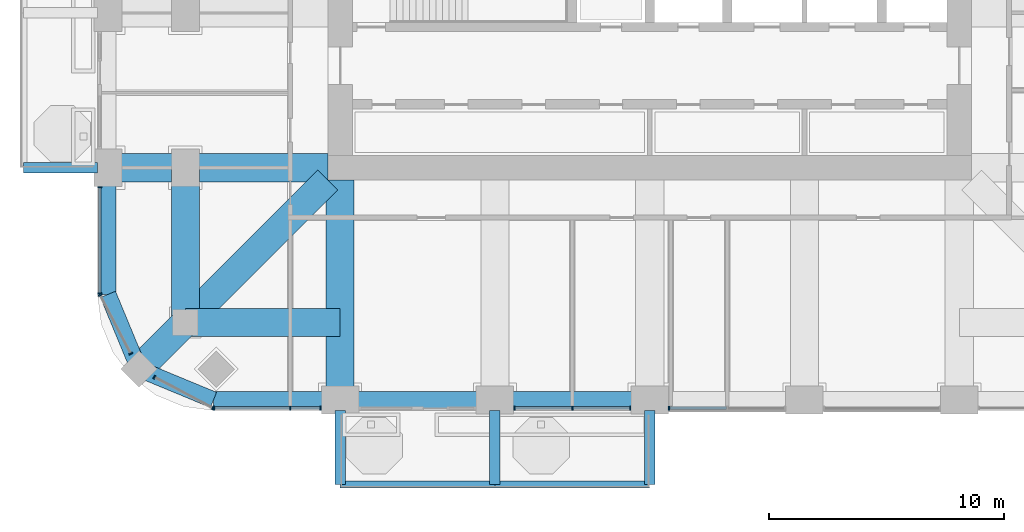
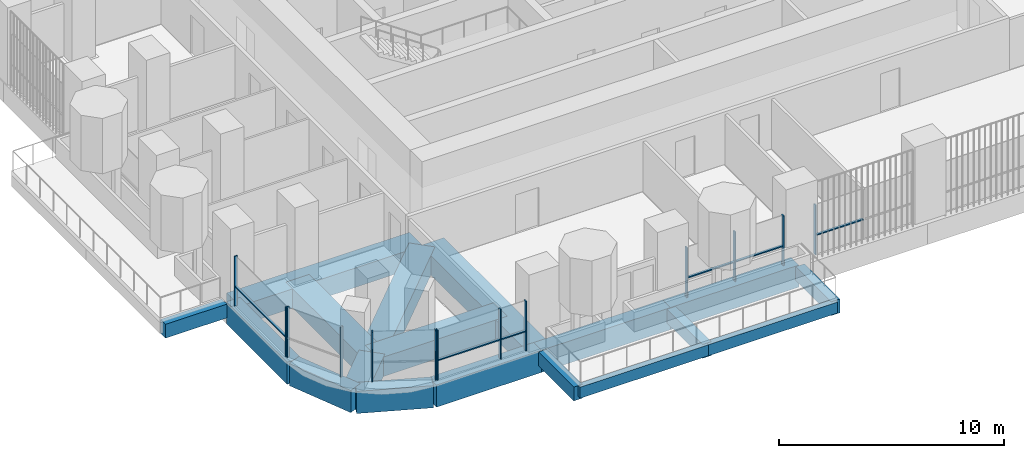
# One storey, part 2 of 20: 19 members, 18 beams, 6 elements without a shape of their own.
"""IFC4 building model written with IfcOpenShell, lengths in metres."""

from ifc_helpers import new_model, si_unit, direction, frame, origin, origin_2d, place, context, subcontext, project, spatial, rectangle, extrude, material, material_profile, profile_set, type_object, element, aggregate, save


model = new_model("IFC4")

# Units and contexts
model_context = context("Model", 3, precision=1e-05, world=origin(), true_north=direction((0.0, 1.0)))
body_context = subcontext(model_context, "Body", "Model", "MODEL_VIEW")
ifc_project = project(units=[si_unit("LENGTHUNIT", "METRE"), si_unit("AREAUNIT", "SQUARE_METRE"), si_unit("VOLUMEUNIT", "CUBIC_METRE"), si_unit("PLANEANGLEUNIT", "RADIAN"), si_unit("MASSUNIT", "GRAM", prefix="KILO")], contexts=[model_context])

# Site, building, storey
site_placement = place(None, origin())
site = spatial("IfcSite", under=ifc_project, at=site_placement, CompositionType="ELEMENT")
building_placement = place(site_placement, origin())
building = spatial("IfcBuilding", under=site, at=building_placement, Name="Cobogo Forest Laboratory Tower", CompositionType="ELEMENT")
storey_placement = place(building_placement, frame((0.0, 0.0, 193.5)))
storey = spatial("IfcBuildingStorey", under=building, at=storey_placement, Name="L44", CompositionType="ELEMENT", Elevation=193.5)

# Beams
ifc_material_1 = material(Name="Concrete HA-40 (C40/50)", Category="concrete")
ifc_material_profile_1 = material_profile(ifc_material_1, rectangle(XDim=0.449951171875, YDim=0.75, at=origin_2d()), Name="RC 450x750")
ifc_profile_set_1 = profile_set([ifc_material_profile_1], Name="Concrete HA-40 (C40/50)")
beam_type_1 = type_object("IfcBeamType", Name="Balcony cantilever beam 450x750", PredefinedType="BEAM", material=ifc_profile_set_1)
for number, where, z_axis, x_axis, name in (
    (1, (13.199951171875, 2.85009765625, -0.625), (0.0, -1.0, 0.0), (1.0, 0.0, 0.0), "CB1 BAL-S1-C1 L44"),
    (2, (19.800048828125, 2.85009765625, -0.625), (0.0, -1.0, 0.0), (1.0, 0.0, 0.0), "CB1 BAL-S1-C2 L44"),
    (3, (26.39990234375, 2.85009765625, -0.625), (0.0, -1.0, 0.0), (1.0, 0.0, 0.0), "CB1 BAL-S1-C3 L44"),
    (4, (2.85009765625, 13.199951171875, -0.625), (-1.0, 0.0, 0.0), (0.0, -1.0, 0.0), "CB1 BAL-W1-C1 L44"),
):
    element("IfcBeam", number, at=place(storey_placement, frame(where, z_axis=z_axis, x_axis=x_axis)), inside=storey, type_object=beam_type_1, Name=name, PredefinedType="BEAM", context=body_context, shape_type="SweptSolid", body=[
        extrude(rectangle(XDim=0.449951171875, YDim=0.75, at=origin_2d()), origin(), (0.0, 0.0, 1.0), 3.150146484375),
    ])
ifc_material_profile_2 = material_profile(ifc_material_1, rectangle(XDim=0.300048828125, YDim=0.60009765625, at=origin_2d()), Name="RC 300x600")
ifc_profile_set_2 = profile_set([ifc_material_profile_2], Name="Concrete HA-40 (C40/50)")
beam_type_2 = type_object("IfcBeamType", Name="Balcony edge beam 300x600", PredefinedType="BEAM", material=ifc_profile_set_2)
beam_1_placement = place(storey_placement, frame((13.199951171875, -0.300048828125, -0.550048828125), z_axis=(1.0, 0.0, 0.0), x_axis=(0.0, 1.0, 0.0)))
element("IfcBeam", 5, at=beam_1_placement, inside=storey, type_object=beam_type_2, Name="BB1 BAL-S1-T1 L44", PredefinedType="BEAM", context=body_context, shape_type="SweptSolid", body=[
    extrude(rectangle(XDim=0.300048828125, YDim=0.60009765625, at=origin_2d()), origin(), (0.0, 0.0, 1.0), 6.60009765625),
])
beam_2_placement = place(storey_placement, frame((19.800048828125, -0.300048828125, -0.550048828125), z_axis=(1.0, 0.0, 0.0), x_axis=(0.0, 1.0, 0.0)))
element("IfcBeam", 6, at=beam_2_placement, inside=storey, type_object=beam_type_2, Name="BB1 BAL-S1-T2 L44", PredefinedType="BEAM", context=body_context, shape_type="SweptSolid", body=[
    extrude(rectangle(XDim=0.300048828125, YDim=0.60009765625, at=origin_2d()), origin(), (0.0, 0.0, 1.0), 6.599853515625),
])
ifc_material_profile_3 = material_profile(ifc_material_1, rectangle(XDim=1.199951171875, YDim=1.050048828125, at=origin_2d()), Name="RC 1200x1050")
ifc_profile_set_3 = profile_set([ifc_material_profile_3], Name="Concrete HA-40 (C40/50)")
beam_type_3 = type_object("IfcBeamType", Name="Laboratory floor wide beam 1200x1050", PredefinedType="BEAM", material=ifc_profile_set_3)
for number, where, z_axis, x_axis, name in (
    (7, (13.199951171875, 12.675048828125, -0.824951171875), (0.0, -1.0, 0.0), (1.0, 0.0, 0.0), "RB1 R-3-S L44"),
    (8, (12.675048828125, 13.199951171875, -0.824951171875), (-1.0, 0.0, 0.0), (0.0, -1.0, 0.0), "RB1 R-C-W L44"),
):
    element("IfcBeam", number, at=place(storey_placement, frame(where, z_axis=z_axis, x_axis=x_axis)), inside=storey, type_object=beam_type_3, Name=name, PredefinedType="BEAM", context=body_context, shape_type="SweptSolid", body=[
        extrude(rectangle(XDim=1.199951171875, YDim=1.050048828125, at=origin_2d()), origin(), (0.0, 0.0, 1.0), 9.375),
    ])
for number, where, z_axis, x_axis, name in (
    (9, (6.60009765625, 6.60009765625, -0.824951171875), (0.0, 1.0, 0.0), (-1.0, 0.0, 0.0), "RB1 G-SW-XC L44"),
    (10, (6.60009765625, 6.60009765625, -0.824951171875), (1.0, 0.0, 0.0), (0.0, 1.0, 0.0), "RB1 G-SW-YC L44"),
):
    element("IfcBeam", number, at=place(storey_placement, frame(where, z_axis=z_axis, x_axis=x_axis)), inside=storey, type_object=beam_type_3, Name=name, PredefinedType="BEAM", context=body_context, shape_type="SweptSolid", body=[
        extrude(rectangle(XDim=1.199951171875, YDim=1.050048828125, at=origin_2d()), origin(), (0.0, 0.0, 1.0), 6.599853515625),
    ])
beam_3_placement = place(storey_placement, frame((4.617919921875, 4.617919921875, -0.824951171875), z_axis=(0.707106781187, 0.707106781187, 0.0), x_axis=(-0.707106781187, 0.707106781187, 0.0)))
element("IfcBeam", 11, at=beam_3_placement, inside=storey, type_object=beam_type_3, Name="RB1 G-SW-D1 L44", PredefinedType="BEAM", context=body_context, shape_type="SweptSolid", body=[
    extrude(rectangle(XDim=1.199951171875, YDim=1.050048828125, at=origin_2d()), origin(), (0.0, 0.0, 1.0), 2.80322265625),
])
beam_4_placement = place(storey_placement, frame((6.60009765625, 6.60009765625, -0.824951171875), z_axis=(0.707106781187, 0.707106781187, 0.0), x_axis=(-0.707106781187, 0.707106781187, 0.0)))
element("IfcBeam", 12, at=beam_4_placement, inside=storey, type_object=beam_type_3, Name="RB1 G-SW-D2 L44", PredefinedType="BEAM", context=body_context, shape_type="SweptSolid", body=[
    extrude(rectangle(XDim=1.199951171875, YDim=1.050048828125, at=origin_2d()), origin(), (0.0, 0.0, 1.0), 8.59130859375),
])

# Curtain wall, members
ifc_material_2 = material(Name="Aluminium curtain wall", Category="aluminium")
curtain_wall_type = type_object("IfcCurtainWallType", Name="CW-2 unitised curtain wall, solar control glazing, laboratory floors zones C and D", PredefinedType="USERDEFINED", material=ifc_material_2)
curtain_wall_1_placement = place(storey_placement, origin())
curtain_wall_1 = element("IfcCurtainWall", 13, at=curtain_wall_1_placement, inside=storey, type_object=curtain_wall_type, Name="Curtain wall 01 L44", ObjectType="UNITISED CURTAIN WALL", PredefinedType="USERDEFINED")
ifc_material_3 = material(Name="Aluminium mullion", Category="aluminium")
ifc_material_profile_4 = material_profile(ifc_material_3, rectangle(XDim=0.06005859375, YDim=0.159912109375, at=origin_2d()), Name="AL 60x160")
ifc_profile_set_4 = profile_set([ifc_material_profile_4], Name="Aluminium mullion")
member_type_1 = type_object("IfcMemberType", Name="MU-1 aluminium mullion 60x160", PredefinedType="MULLION", material=ifc_profile_set_4)
member_1_placement = place(storey_placement, frame((7.830078125, 2.949951171875, 0.0), z_axis=(0.0, 0.0, 1.0), x_axis=(1.0, 0.0, 0.0)))
member_1 = element("IfcMember", 14, at=member_1_placement, type_object=member_type_1, Name="CW-2 mullion 1", PredefinedType="MULLION", context=body_context, shape_type="SweptSolid", body=[
    extrude(rectangle(XDim=0.06005859375, YDim=0.159912109375, at=origin_2d()), origin(), (0.0, 0.0, 1.0), 2.699951171875),
])
member_2_placement = place(storey_placement, frame((11.074951171875, 2.949951171875, 0.0), z_axis=(0.0, 0.0, 1.0), x_axis=(1.0, 0.0, 0.0)))
member_2 = element("IfcMember", 15, at=member_2_placement, type_object=member_type_1, Name="CW-2 mullion 2", PredefinedType="MULLION", context=body_context, shape_type="SweptSolid", body=[
    extrude(rectangle(XDim=0.06005859375, YDim=0.159912109375, at=origin_2d()), origin(), (0.0, 0.0, 1.0), 2.699951171875),
])
member_3_placement = place(storey_placement, frame((12.3701171875, 2.949951171875, 0.0), z_axis=(0.0, 0.0, 1.0), x_axis=(1.0, 0.0, 0.0)))
member_3 = element("IfcMember", 16, at=member_3_placement, type_object=member_type_1, Name="CW-2 mullion 3", PredefinedType="MULLION", context=body_context, shape_type="SweptSolid", body=[
    extrude(rectangle(XDim=0.06005859375, YDim=0.159912109375, at=origin_2d()), origin(), (0.0, 0.0, 1.0), 2.699951171875),
])

curtain_wall_2_placement = place(storey_placement, origin())
curtain_wall_2 = element("IfcCurtainWall", 17, at=curtain_wall_2_placement, inside=storey, type_object=curtain_wall_type, Name="Curtain wall 03 L44", ObjectType="UNITISED CURTAIN WALL", PredefinedType="USERDEFINED")
member_4_placement = place(storey_placement, frame((20.6298828125, 2.949951171875, 0.0), z_axis=(0.0, 0.0, 1.0), x_axis=(1.0, 0.0, 0.0)))
member_4 = element("IfcMember", 18, at=member_4_placement, type_object=member_type_1, Name="CW-2 mullion 1", PredefinedType="MULLION", context=body_context, shape_type="SweptSolid", body=[
    extrude(rectangle(XDim=0.06005859375, YDim=0.159912109375, at=origin_2d()), origin(), (0.0, 0.0, 1.0), 2.699951171875),
])
member_5_placement = place(storey_placement, frame((23.10009765625, 2.949951171875, 0.0), z_axis=(0.0, 0.0, 1.0), x_axis=(1.0, 0.0, 0.0)))
member_5 = element("IfcMember", 19, at=member_5_placement, type_object=member_type_1, Name="CW-2 mullion 2", PredefinedType="MULLION", context=body_context, shape_type="SweptSolid", body=[
    extrude(rectangle(XDim=0.06005859375, YDim=0.159912109375, at=origin_2d()), origin(), (0.0, 0.0, 1.0), 2.699951171875),
])
member_6_placement = place(storey_placement, frame((25.570068359375, 2.949951171875, 0.0), z_axis=(0.0, 0.0, 1.0), x_axis=(1.0, 0.0, 0.0)))
member_6 = element("IfcMember", 20, at=member_6_placement, type_object=member_type_1, Name="CW-2 mullion 3", PredefinedType="MULLION", context=body_context, shape_type="SweptSolid", body=[
    extrude(rectangle(XDim=0.06005859375, YDim=0.159912109375, at=origin_2d()), origin(), (0.0, 0.0, 1.0), 2.699951171875),
])

# Curtain wall, member
curtain_wall_3_placement = place(storey_placement, origin())
curtain_wall_3 = element("IfcCurtainWall", 21, at=curtain_wall_3_placement, inside=storey, type_object=curtain_wall_type, Name="Curtain wall 04 L44", ObjectType="UNITISED CURTAIN WALL", PredefinedType="USERDEFINED")
member_7_placement = place(storey_placement, frame((27.22998046875, 2.949951171875, 0.0), z_axis=(0.0, 0.0, 1.0), x_axis=(1.0, 0.0, 0.0)))
member_7 = element("IfcMember", 22, at=member_7_placement, type_object=member_type_1, Name="CW-2 mullion 1", PredefinedType="MULLION", context=body_context, shape_type="SweptSolid", body=[
    extrude(rectangle(XDim=0.06005859375, YDim=0.159912109375, at=origin_2d()), origin(), (0.0, 0.0, 1.0), 2.699951171875),
])

# Curtain wall, members
curtain_wall_4_placement = place(storey_placement, origin())
curtain_wall_4 = element("IfcCurtainWall", 23, at=curtain_wall_4_placement, inside=storey, type_object=curtain_wall_type, Name="Curtain wall 28 L44", ObjectType="UNITISED CURTAIN WALL", PredefinedType="USERDEFINED")
member_8_placement = place(storey_placement, frame((2.949951171875, 12.3701171875, 0.0), z_axis=(0.0, 0.0, 1.0), x_axis=(0.0, -1.0, 0.0)))
member_8 = element("IfcMember", 24, at=member_8_placement, type_object=member_type_1, Name="CW-2 mullion 1", PredefinedType="MULLION", context=body_context, shape_type="SweptSolid", body=[
    extrude(rectangle(XDim=0.06005859375, YDim=0.159912109375, at=origin_2d()), origin(), (0.0, 0.0, 1.0), 2.699951171875),
])
member_9_placement = place(storey_placement, frame((2.949951171875, 7.830078125, 0.0), z_axis=(0.0, 0.0, 1.0), x_axis=(0.0, -1.0, 0.0)))
member_9 = element("IfcMember", 25, at=member_9_placement, type_object=member_type_1, Name="CW-2 mullion 2", PredefinedType="MULLION", context=body_context, shape_type="SweptSolid", body=[
    extrude(rectangle(XDim=0.06005859375, YDim=0.159912109375, at=origin_2d()), origin(), (0.0, 0.0, 1.0), 2.699951171875),
])

curtain_wall_5_placement = place(storey_placement, origin())
curtain_wall_5 = element("IfcCurtainWall", 26, at=curtain_wall_5_placement, inside=storey, type_object=curtain_wall_type, Name="Curtain wall 29 L44", ObjectType="UNITISED CURTAIN WALL", PredefinedType="USERDEFINED")
member_10_placement = place(storey_placement, frame((2.9638671875, 7.7734375, 0.0), z_axis=(0.0, 0.0, 1.0), x_axis=(0.464283804832, -0.885686484356, 0.0)))
member_10 = element("IfcMember", 27, at=member_10_placement, type_object=member_type_1, Name="CW-2 mullion 1", PredefinedType="MULLION", context=body_context, shape_type="SweptSolid", body=[
    extrude(rectangle(XDim=0.06005859375, YDim=0.159912109375, at=origin_2d()), origin(), (0.0, 0.0, 1.0), 2.699951171875),
])
member_11_placement = place(storey_placement, frame((4.2734375, 5.275634765625, 0.0), z_axis=(0.0, 0.0, 1.0), x_axis=(0.464283804832, -0.885686484356, 0.0)))
member_11 = element("IfcMember", 28, at=member_11_placement, type_object=member_type_1, Name="CW-2 mullion 2", PredefinedType="MULLION", context=body_context, shape_type="SweptSolid", body=[
    extrude(rectangle(XDim=0.06005859375, YDim=0.159912109375, at=origin_2d()), origin(), (0.0, 0.0, 1.0), 2.699951171875),
])
aggregate(curtain_wall_5, [member_10, member_11])

curtain_wall_6_placement = place(storey_placement, origin())
curtain_wall_6 = element("IfcCurtainWall", 29, at=curtain_wall_6_placement, inside=storey, type_object=curtain_wall_type, Name="Curtain wall 30 L44", ObjectType="UNITISED CURTAIN WALL", PredefinedType="USERDEFINED")
member_12_placement = place(storey_placement, frame((5.275634765625, 4.2734375, 0.0), z_axis=(0.0, 0.0, 1.0), x_axis=(0.885686484356, -0.464283804832, 0.0)))
member_12 = element("IfcMember", 30, at=member_12_placement, type_object=member_type_1, Name="CW-2 mullion 1", PredefinedType="MULLION", context=body_context, shape_type="SweptSolid", body=[
    extrude(rectangle(XDim=0.06005859375, YDim=0.159912109375, at=origin_2d()), origin(), (0.0, 0.0, 1.0), 2.699951171875),
])
member_13_placement = place(storey_placement, frame((7.7734375, 2.9638671875, 0.0), z_axis=(0.0, 0.0, 1.0), x_axis=(0.885686484356, -0.464283804832, 0.0)))
member_13 = element("IfcMember", 31, at=member_13_placement, type_object=member_type_1, Name="CW-2 mullion 2", PredefinedType="MULLION", context=body_context, shape_type="SweptSolid", body=[
    extrude(rectangle(XDim=0.06005859375, YDim=0.159912109375, at=origin_2d()), origin(), (0.0, 0.0, 1.0), 2.699951171875),
])
aggregate(curtain_wall_6, [member_12, member_13])

# Beams
ifc_material_profile_5 = material_profile(ifc_material_1, rectangle(XDim=0.699951171875, YDim=1.199951171875, at=origin_2d()), Name="RC 700x1200")
ifc_profile_set_5 = profile_set([ifc_material_profile_5], Name="Concrete HA-40 (C40/50)")
beam_type_4 = type_object("IfcBeamType", Name="Perimeter edge beam 700x1200", PredefinedType="BEAM", material=ifc_profile_set_5)
beam_5_placement = place(storey_placement, frame((13.199951171875, 3.300048828125, -0.89990234375), z_axis=(1.0, 0.0, 0.0), x_axis=(0.0, 1.0, 0.0)))
element("IfcBeam", 32, at=beam_5_placement, inside=storey, type_object=beam_type_4, Name="EB1 E-S1 L44", PredefinedType="BEAM", context=body_context, shape_type="SweptSolid", body=[
    extrude(rectangle(XDim=0.699951171875, YDim=1.199951171875, at=origin_2d()), origin(), (0.0, 0.0, 1.0), 6.60009765625),
])
beam_6_placement = place(storey_placement, frame((19.800048828125, 3.300048828125, -0.89990234375), z_axis=(1.0, 0.0, 0.0), x_axis=(0.0, 1.0, 0.0)))
element("IfcBeam", 33, at=beam_6_placement, inside=storey, type_object=beam_type_4, Name="EB1 E-S2 L44", PredefinedType="BEAM", context=body_context, shape_type="SweptSolid", body=[
    extrude(rectangle(XDim=0.699951171875, YDim=1.199951171875, at=origin_2d()), origin(), (0.0, 0.0, 1.0), 6.599853515625),
])
beam_7_placement = place(storey_placement, frame((13.199951171875, 3.300048828125, -0.89990234375), z_axis=(-1.0, 0.0, 0.0), x_axis=(0.0, -1.0, 0.0)))
element("IfcBeam", 34, at=beam_7_placement, inside=storey, type_object=beam_type_4, Name="EB1 E-SWS1 L44", PredefinedType="BEAM", context=body_context, shape_type="SweptSolid", body=[
    extrude(rectangle(XDim=0.699951171875, YDim=1.199951171875, at=origin_2d()), origin(), (0.0, 0.0, 1.0), 5.39990234375),
])
beam_8_placement = place(storey_placement, frame((7.800048828125, 3.300048828125, -0.89990234375), z_axis=(-0.923901072997, 0.382631424892, 0.0), x_axis=(-0.382631424892, -0.923901072997, 0.0)))
element("IfcBeam", 35, at=beam_8_placement, inside=storey, type_object=beam_type_4, Name="EB1 E-SWS2 L44", PredefinedType="BEAM", context=body_context, shape_type="SweptSolid", body=[
    extrude(rectangle(XDim=0.699951171875, YDim=1.199951171875, at=origin_2d()), origin(), (0.0, 0.0, 1.0), 3.4443359375),
])
beam_9_placement = place(storey_placement, frame((3.300048828125, 13.199951171875, -0.89990234375), z_axis=(0.0, -1.0, 0.0), x_axis=(1.0, 0.0, 0.0)))
element("IfcBeam", 36, at=beam_9_placement, inside=storey, type_object=beam_type_4, Name="EB1 E-SWW1 L44", PredefinedType="BEAM", context=body_context, shape_type="SweptSolid", body=[
    extrude(rectangle(XDim=0.699951171875, YDim=1.199951171875, at=origin_2d()), origin(), (0.0, 0.0, 1.0), 5.39990234375),
])
beam_10_placement = place(storey_placement, frame((3.300048828125, 7.800048828125, -0.89990234375), z_axis=(0.382631424892, -0.923901072997, 0.0), x_axis=(0.923901072997, 0.382631424892, 0.0)))
element("IfcBeam", 37, at=beam_10_placement, inside=storey, type_object=beam_type_4, Name="EB1 E-SWW2 L44", PredefinedType="BEAM", context=body_context, shape_type="SweptSolid", body=[
    extrude(rectangle(XDim=0.699951171875, YDim=1.199951171875, at=origin_2d()), origin(), (0.0, 0.0, 1.0), 3.4443359375),
])

# Member
ifc_material_4 = material(Name="Aluminium transom", Category="aluminium")
ifc_material_profile_6 = material_profile(ifc_material_4, rectangle(XDim=0.1201171875, YDim=0.06005859375, at=origin_2d()), Name="AL 60x120")
ifc_profile_set_6 = profile_set([ifc_material_profile_6], Name="Aluminium transom")
member_type_2 = type_object("IfcMemberType", Name="TR-1 aluminium transom 60x120", PredefinedType="USERDEFINED", material=ifc_profile_set_6)
member_14_placement = place(storey_placement, frame((7.860107421875, 2.949951171875, 1.050048828125), z_axis=(1.0, 0.0, 0.0), x_axis=(0.0, 1.0, 0.0)))
member_14 = element("IfcMember", 38, at=member_14_placement, type_object=member_type_2, Name="CW-2 transom 1.1", ObjectType="TRANSOM", PredefinedType="USERDEFINED", context=body_context, shape_type="SweptSolid", body=[
    extrude(rectangle(XDim=0.1201171875, YDim=0.06005859375, at=origin_2d()), origin(), (0.0, 0.0, 1.0), 3.184814453125),
])

member_15_placement = place(storey_placement, frame((11.10498046875, 2.949951171875, 1.050048828125), z_axis=(1.0, 0.0, 0.0), x_axis=(0.0, 1.0, 0.0)))
member_15 = element("IfcMember", 39, at=member_15_placement, type_object=member_type_2, Name="CW-2 transom 2.1", ObjectType="TRANSOM", PredefinedType="USERDEFINED", context=body_context, shape_type="SweptSolid", body=[
    extrude(rectangle(XDim=0.1201171875, YDim=0.06005859375, at=origin_2d()), origin(), (0.0, 0.0, 1.0), 1.235107421875),
])

aggregate(curtain_wall_1, [member_1, member_2, member_3, member_14, member_15])

member_16_placement = place(storey_placement, frame((20.659912109375, 2.949951171875, 1.050048828125), z_axis=(1.0, 0.0, 0.0), x_axis=(0.0, 1.0, 0.0)))
member_16 = element("IfcMember", 40, at=member_16_placement, type_object=member_type_2, Name="CW-2 transom 1.1", ObjectType="TRANSOM", PredefinedType="USERDEFINED", context=body_context, shape_type="SweptSolid", body=[
    extrude(rectangle(XDim=0.1201171875, YDim=0.06005859375, at=origin_2d()), origin(), (0.0, 0.0, 1.0), 2.41015625),
])

member_17_placement = place(storey_placement, frame((23.1298828125, 2.949951171875, 1.050048828125), z_axis=(1.0, 0.0, 0.0), x_axis=(0.0, 1.0, 0.0)))
member_17 = element("IfcMember", 41, at=member_17_placement, type_object=member_type_2, Name="CW-2 transom 2.1", ObjectType="TRANSOM", PredefinedType="USERDEFINED", context=body_context, shape_type="SweptSolid", body=[
    extrude(rectangle(XDim=0.1201171875, YDim=0.06005859375, at=origin_2d()), origin(), (0.0, 0.0, 1.0), 2.41015625),
])

aggregate(curtain_wall_2, [member_4, member_5, member_6, member_16, member_17])

member_18_placement = place(storey_placement, frame((27.260009765625, 2.949951171875, 1.050048828125), z_axis=(1.0, 0.0, 0.0), x_axis=(0.0, 1.0, 0.0)))
member_18 = element("IfcMember", 42, at=member_18_placement, type_object=member_type_2, Name="CW-2 transom 1.1", ObjectType="TRANSOM", PredefinedType="USERDEFINED", context=body_context, shape_type="SweptSolid", body=[
    extrude(rectangle(XDim=0.1201171875, YDim=0.06005859375, at=origin_2d()), origin(), (0.0, 0.0, 1.0), 2.409912109375),
])

aggregate(curtain_wall_3, [member_7, member_18])

member_19_placement = place(storey_placement, frame((2.949951171875, 12.340087890625, 1.050048828125), z_axis=(0.0, -1.0, 0.0), x_axis=(1.0, 0.0, 0.0)))
member_19 = element("IfcMember", 43, at=member_19_placement, type_object=member_type_2, Name="CW-2 transom 1.1", ObjectType="TRANSOM", PredefinedType="USERDEFINED", context=body_context, shape_type="SweptSolid", body=[
    extrude(rectangle(XDim=0.1201171875, YDim=0.06005859375, at=origin_2d()), origin(), (0.0, 0.0, 1.0), 4.47998046875),
])

aggregate(curtain_wall_4, [member_8, member_9, member_19])

save(model, "model.ifc")
